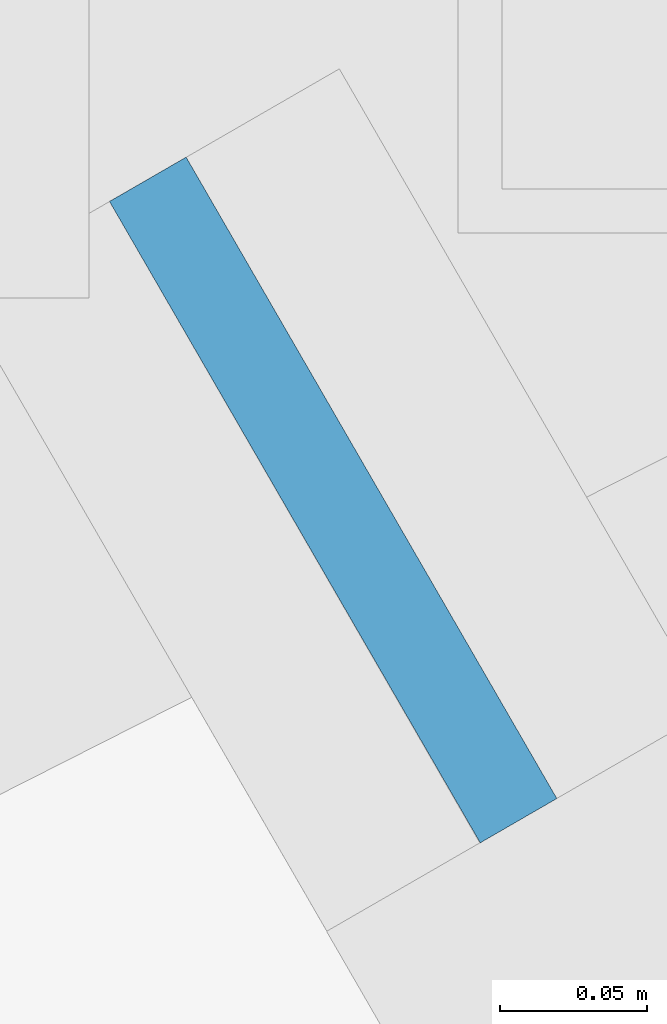
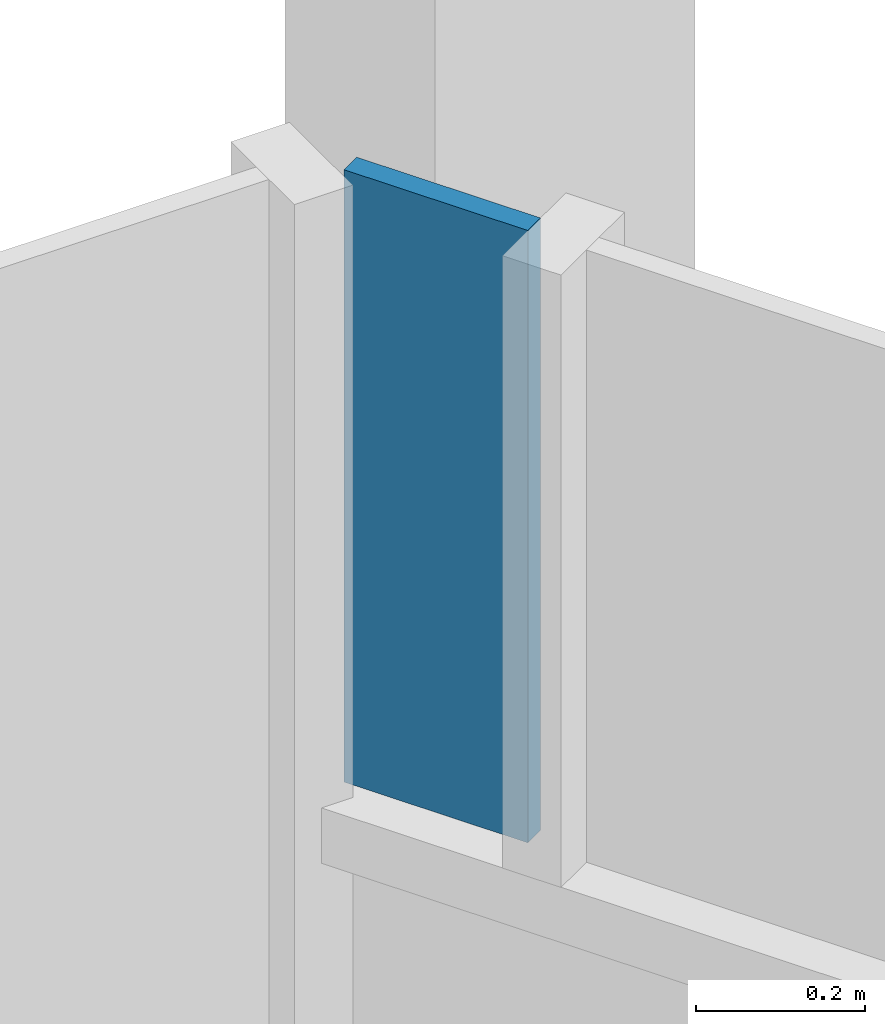
# One storey, part 17 of 23: 1 plate, 1 element without a shape of its own.
"""IFC4 building model written with IfcOpenShell, lengths in metres."""

from ifc_helpers import new_model, si_unit, direction, frame, origin, place, context, subcontext, project, spatial, polyline, outline, extrude, material, layer, layer_set, type_object, element, aggregate, save


model = new_model("IFC4")

# Units and contexts
model_context = context("Model", 3, precision=1e-05, world=origin(), true_north=direction((0.0, 1.0)))
body_context = subcontext(model_context, "Body", "Model", "MODEL_VIEW")
ifc_project = project(units=[si_unit("LENGTHUNIT", "METRE"), si_unit("AREAUNIT", "SQUARE_METRE"), si_unit("VOLUMEUNIT", "CUBIC_METRE"), si_unit("PLANEANGLEUNIT", "RADIAN"), si_unit("MASSUNIT", "GRAM", prefix="KILO")], contexts=[model_context])

# Site, building, storey
site_placement = place(None, origin())
site = spatial("IfcSite", under=ifc_project, at=site_placement, CompositionType="ELEMENT")
building_placement = place(site_placement, origin())
building = spatial("IfcBuilding", under=site, at=building_placement, Name="Firuza Gate Tower and Library", CompositionType="ELEMENT")
storey_placement = place(building_placement, frame((0.0, 0.0, 312.60009765625)))
storey = spatial("IfcBuildingStorey", under=building, at=storey_placement, Name="L76", CompositionType="ELEMENT", Elevation=312.60009765625)

# Curtain wall, plate
ifc_material_1 = material(Name="Aluminium 6063-T6", Category="aluminium")
ifc_layer_1 = layer(ifc_material_1, 0.14990234375)
ifc_layer_set_1 = layer_set([ifc_layer_1], Name="Unitised curtain wall, residences")
curtain_wall_type = type_object("IfcCurtainWallType", Name="Unitised curtain wall, residences", PredefinedType="NOTDEFINED", material=ifc_layer_set_1)
curtain_wall_placement = place(storey_placement, origin())
curtain_wall = element("IfcCurtainWall", 1, at=curtain_wall_placement, inside=storey, type_object=curtain_wall_type, Name="CW3 L76 E face", PredefinedType="NOTDEFINED")
ifc_material_2 = material(Name="Glazed ceramic tile")
ifc_layer_2 = layer(ifc_material_2, 0.030029296875)
ifc_layer_set_2 = layer_set([ifc_layer_2], Name="Opaque ceramic panel, residences")
plate_type = type_object("IfcPlateType", Name="Opaque ceramic panel, residences", PredefinedType="CURTAIN_PANEL", material=ifc_layer_set_2)
plate_placement = place(storey_placement, frame((78.802001953125, 100.834228515625, 2.414794921875), z_axis=(0.865780878536, 0.500423291185, 0.0), x_axis=(-0.500423291185, 0.865780878536, 0.0)))
plate = element("IfcPlate", 2, at=plate_placement, type_object=plate_type, Name="Opaque ceramic panel", PredefinedType="CURTAIN_PANEL", context=body_context, shape_type="SweptSolid", body=[
    extrude(outline(polyline([(0.0, 0.0), (0.2512521381192305, 0.0), (0.2512521381192305, 0.885009765625), (0.0, 0.885009765625), (0.0, 0.0)])), origin(), (0.0, 0.0, -1.0), 0.030029296875),
])
aggregate(curtain_wall, [plate])

save(model, "model.ifc")
